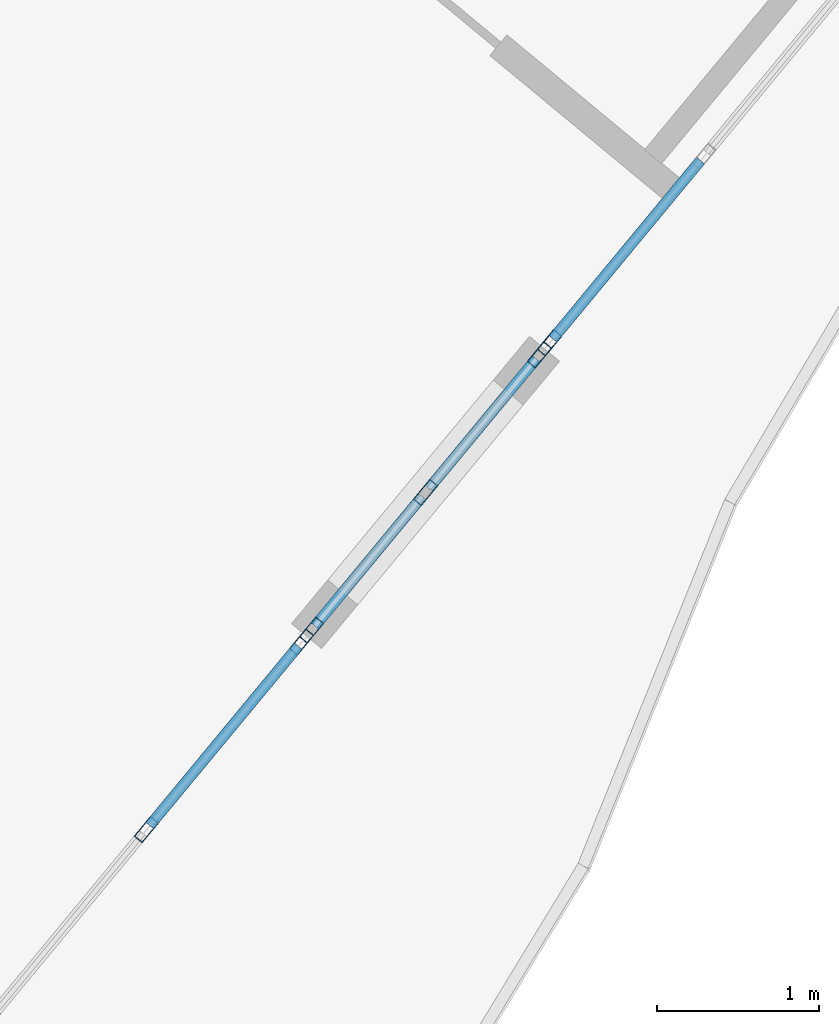
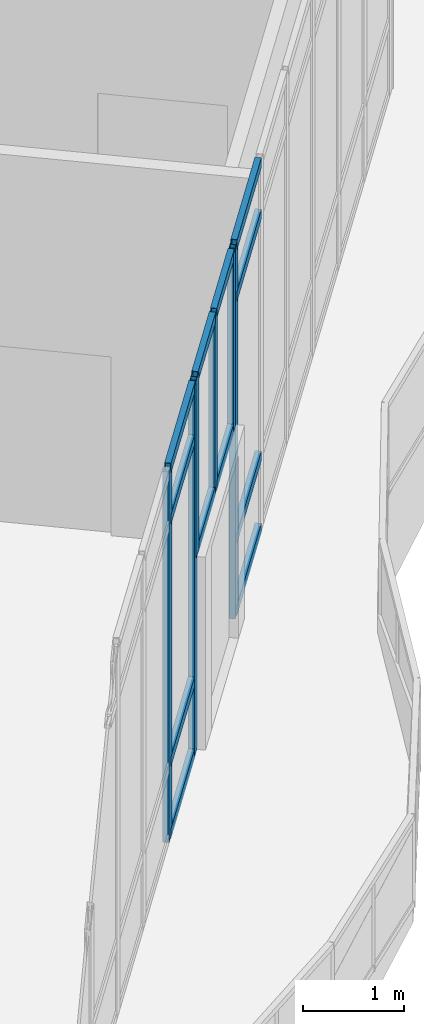
# One storey, part 98 of 155: 18 members, 3 elements without a shape of their own.
"""IFC4 building model written with IfcOpenShell, lengths in metres."""

from ifc_helpers import new_model, si_unit, direction, frame, origin, origin_2d, place, context, subcontext, project, spatial, hollow_rectangle, extrude, material, material_profile, profile_set, type_object, element, aggregate, save


model = new_model("IFC4")

# Units and contexts
model_context = context("Model", 3, precision=1e-05, world=origin(), true_north=direction((0.0, 1.0)))
body_context = subcontext(model_context, "Body", "Model", "MODEL_VIEW")
ifc_project = project(units=[si_unit("LENGTHUNIT", "METRE"), si_unit("AREAUNIT", "SQUARE_METRE"), si_unit("VOLUMEUNIT", "CUBIC_METRE"), si_unit("PLANEANGLEUNIT", "RADIAN"), si_unit("MASSUNIT", "GRAM", prefix="KILO")], contexts=[model_context])

# Site, building, storey
site_placement = place(None, origin())
site = spatial("IfcSite", under=ifc_project, at=site_placement, CompositionType="ELEMENT")
building_placement = place(site_placement, origin())
building = spatial("IfcBuilding", under=site, at=building_placement, Name="Selatvlak General Hospital", CompositionType="ELEMENT")
storey_placement = place(building_placement, frame((0.0, 0.0, 10.199951171875)))
storey = spatial("IfcBuildingStorey", under=building, at=storey_placement, Name="L02", CompositionType="ELEMENT", Elevation=10.199951171875)

# Curtain wall, members
ifc_material_1 = material(Name="Solar-control Low-E double glazing", Category="glass")
curtain_wall_type_1 = type_object("IfcCurtainWallType", Name="CW-CW-02", PredefinedType="USERDEFINED", material=ifc_material_1)
curtain_wall_1_placement = place(storey_placement, origin())
curtain_wall_1 = element("IfcCurtainWall", 1, at=curtain_wall_1_placement, inside=storey, type_object=curtain_wall_type_1, Name="Glazed facade curtain wall CW-L02-0272", ObjectType="UNITISED CURTAIN WALL", PredefinedType="USERDEFINED")
ifc_material_2 = material(Name="Dark anodised aluminium mullion", Category="aluminium")
ifc_material_profile_1 = material_profile(ifc_material_2, hollow_rectangle(XDim=0.06494140625, YDim=0.159912109375, WallThickness=0.00390625, at=origin_2d()), Name="AL-MUL 65x160x4")
ifc_profile_set_1 = profile_set([ifc_material_profile_1], Name="Dark anodised aluminium mullion")
member_type_1 = type_object("IfcMemberType", Name="CWM-01", PredefinedType="MULLION", material=ifc_profile_set_1)
member_1_placement = place(storey_placement, frame((172.88427734375, 52.804931640625, 2.320068359375), z_axis=(0.0, 0.0, 1.0), x_axis=(0.770132930655, -0.6378834291, 0.0)))
member_1 = element("IfcMember", 2, at=member_1_placement, type_object=member_type_1, Name="CW-02 mullion 1", PredefinedType="MULLION", context=body_context, shape_type="SweptSolid", body=[
    extrude(hollow_rectangle(XDim=0.06494140625, YDim=0.159912109375, WallThickness=0.00390625, at=origin_2d()), origin(), (0.0, 0.0, 1.0), 2.139892578125),
])
member_2_placement = place(storey_placement, frame((172.181396484375, 51.95654296875, 2.320068359375), z_axis=(0.0, 0.0, 1.0), x_axis=(0.770132930655, -0.6378834291, 0.0)))
member_2 = element("IfcMember", 3, at=member_2_placement, type_object=member_type_1, Name="CW-02 mullion 2", PredefinedType="MULLION", context=body_context, shape_type="SweptSolid", body=[
    extrude(hollow_rectangle(XDim=0.06494140625, YDim=0.159912109375, WallThickness=0.00390625, at=origin_2d()), origin(), (0.0, 0.0, 1.0), 2.139892578125),
])
member_3_placement = place(storey_placement, frame((171.478759765625, 51.10791015625, 2.320068359375), z_axis=(0.0, 0.0, 1.0), x_axis=(0.770132930655, -0.6378834291, 0.0)))
member_3 = element("IfcMember", 4, at=member_3_placement, type_object=member_type_1, Name="CW-02 mullion 3", PredefinedType="MULLION", context=body_context, shape_type="SweptSolid", body=[
    extrude(hollow_rectangle(XDim=0.06494140625, YDim=0.159912109375, WallThickness=0.00390625, at=origin_2d()), origin(), (0.0, 0.0, 1.0), 2.139892578125),
])

# Curtain wall, member
curtain_wall_type_2 = type_object("IfcCurtainWallType", Name="CW-CW-01", PredefinedType="USERDEFINED", material=ifc_material_1)
curtain_wall_2_placement = place(storey_placement, origin())
curtain_wall_2 = element("IfcCurtainWall", 5, at=curtain_wall_2_placement, inside=storey, type_object=curtain_wall_type_2, Name="Glazed facade curtain wall CW-L02-0273", ObjectType="UNITISED CURTAIN WALL", PredefinedType="USERDEFINED")
member_4_placement = place(storey_placement, frame((172.94580078125, 52.879150390625, 0.0), z_axis=(0.0, 0.0, 1.0), x_axis=(0.770251713592, -0.637739992245, 0.0)))
member_4 = element("IfcMember", 6, at=member_4_placement, type_object=member_type_1, Name="CW-01 mullion 7", PredefinedType="MULLION", context=body_context, shape_type="SweptSolid", body=[
    extrude(hollow_rectangle(XDim=0.06494140625, YDim=0.159912109375, WallThickness=0.00390625, at=origin_2d()), origin(), (0.0, 0.0, 1.0), 4.4599609375),
])

# Curtain wall, members
curtain_wall_3_placement = place(storey_placement, origin())
curtain_wall_3 = element("IfcCurtainWall", 7, at=curtain_wall_3_placement, inside=storey, type_object=curtain_wall_type_2, Name="Glazed facade curtain wall CW-L02-0274", ObjectType="UNITISED CURTAIN WALL", PredefinedType="USERDEFINED")
member_5_placement = place(storey_placement, frame((171.417236328125, 51.033935546875, 0.0), z_axis=(0.0, 0.0, 1.0), x_axis=(0.770267232802, -0.637721247938, 0.0)))
member_5 = element("IfcMember", 8, at=member_5_placement, type_object=member_type_1, Name="CW-01 mullion 1", PredefinedType="MULLION", context=body_context, shape_type="SweptSolid", body=[
    extrude(hollow_rectangle(XDim=0.06494140625, YDim=0.159912109375, WallThickness=0.00390625, at=origin_2d()), origin(), (0.0, 0.0, 1.0), 4.4599609375),
])
member_6_placement = place(storey_placement, frame((170.46044921875, 49.87841796875, 0.0), z_axis=(0.0, 0.0, 1.0), x_axis=(0.770267232802, -0.637721247938, 0.0)))
member_6 = element("IfcMember", 9, at=member_6_placement, type_object=member_type_1, Name="CW-01 mullion 2", PredefinedType="MULLION", context=body_context, shape_type="SweptSolid", body=[
    extrude(hollow_rectangle(XDim=0.06494140625, YDim=0.159912109375, WallThickness=0.00390625, at=origin_2d()), origin(), (0.0, 0.0, 1.0), 4.4599609375),
])

# Member
ifc_material_profile_2 = material_profile(ifc_material_2, hollow_rectangle(XDim=0.06494140625, YDim=0.1201171875, WallThickness=0.00390625, at=origin_2d()), Name="AL-TRN 65x120x4")
ifc_profile_set_2 = profile_set([ifc_material_profile_2], Name="Dark anodised aluminium mullion")
member_type_2 = type_object("IfcMemberType", Name="CWT-01", PredefinedType="USERDEFINED", material=ifc_profile_set_2)
member_7_placement = place(storey_placement, frame((172.863525390625, 52.780029296875, 2.3525390625), z_axis=(-0.637842341056, -0.770166961091, 0.0), x_axis=(0.770166961091, -0.637842341056, 0.0)))
member_7 = element("IfcMember", 10, at=member_7_placement, type_object=member_type_2, Name="CW-02 transom 1.1", ObjectType="TRANSOM", PredefinedType="USERDEFINED", context=body_context, shape_type="SweptSolid", body=[
    extrude(hollow_rectangle(XDim=0.06494140625, YDim=0.1201171875, WallThickness=0.00390625, at=origin_2d()), origin(), (0.0, 0.0, 1.0), 1.036865234375),
])

member_8_placement = place(storey_placement, frame((172.863525390625, 52.780029296875, 4.427490234375), z_axis=(-0.637842341056, -0.770166961091, 0.0), x_axis=(0.770166961091, -0.637842341056, 0.0)))
member_8 = element("IfcMember", 11, at=member_8_placement, type_object=member_type_2, Name="CW-02 transom 1.2", ObjectType="TRANSOM", PredefinedType="USERDEFINED", context=body_context, shape_type="SweptSolid", body=[
    extrude(hollow_rectangle(XDim=0.06494140625, YDim=0.1201171875, WallThickness=0.00390625, at=origin_2d()), origin(), (0.0, 0.0, 1.0), 1.036865234375),
])

member_9_placement = place(storey_placement, frame((172.160888671875, 51.931396484375, 2.3525390625), z_axis=(-0.637958019999, -0.770071142635, 0.0), x_axis=(0.770071142635, -0.637958019999, 0.0)))
member_9 = element("IfcMember", 12, at=member_9_placement, type_object=member_type_2, Name="CW-02 transom 2.1", ObjectType="TRANSOM", PredefinedType="USERDEFINED", context=body_context, shape_type="SweptSolid", body=[
    extrude(hollow_rectangle(XDim=0.06494140625, YDim=0.1201171875, WallThickness=0.00390625, at=origin_2d()), origin(), (0.0, 0.0, 1.0), 1.03662109375),
])

member_10_placement = place(storey_placement, frame((172.160888671875, 51.931396484375, 4.427490234375), z_axis=(-0.637958019999, -0.770071142635, 0.0), x_axis=(0.770071142635, -0.637958019999, 0.0)))
member_10 = element("IfcMember", 13, at=member_10_placement, type_object=member_type_2, Name="CW-02 transom 2.2", ObjectType="TRANSOM", PredefinedType="USERDEFINED", context=body_context, shape_type="SweptSolid", body=[
    extrude(hollow_rectangle(XDim=0.06494140625, YDim=0.1201171875, WallThickness=0.00390625, at=origin_2d()), origin(), (0.0, 0.0, 1.0), 1.03662109375),
])

aggregate(curtain_wall_1, [member_1, member_2, member_3, member_7, member_8, member_9, member_10])

member_11_placement = place(storey_placement, frame((173.87646484375, 54.003173828125, 0.032470703125), z_axis=(-0.637690265355, -0.770292882916, 0.0), x_axis=(0.770292882916, -0.637690265355, 0.0)))
member_11 = element("IfcMember", 14, at=member_11_placement, type_object=member_type_2, Name="CW-01 transom 6.1", ObjectType="TRANSOM", PredefinedType="USERDEFINED", context=body_context, shape_type="SweptSolid", body=[
    extrude(hollow_rectangle(XDim=0.06494140625, YDim=0.1201171875, WallThickness=0.00390625, at=origin_2d()), origin(), (0.0, 0.0, 1.0), 1.427001953125),
])

member_12_placement = place(storey_placement, frame((173.87646484375, 54.003173828125, 0.900146484375), z_axis=(-0.637690265355, -0.770292882916, 0.0), x_axis=(0.770292882916, -0.637690265355, 0.0)))
member_12 = element("IfcMember", 15, at=member_12_placement, type_object=member_type_2, Name="CW-01 transom 6.2", ObjectType="TRANSOM", PredefinedType="USERDEFINED", context=body_context, shape_type="SweptSolid", body=[
    extrude(hollow_rectangle(XDim=0.06494140625, YDim=0.1201171875, WallThickness=0.00390625, at=origin_2d()), origin(), (0.0, 0.0, 1.0), 1.427001953125),
])

member_13_placement = place(storey_placement, frame((173.87646484375, 54.003173828125, 3.81005859375), z_axis=(-0.637690265355, -0.770292882916, 0.0), x_axis=(0.770292882916, -0.637690265355, 0.0)))
member_13 = element("IfcMember", 16, at=member_13_placement, type_object=member_type_2, Name="CW-01 transom 6.3", ObjectType="TRANSOM", PredefinedType="USERDEFINED", context=body_context, shape_type="SweptSolid", body=[
    extrude(hollow_rectangle(XDim=0.06494140625, YDim=0.1201171875, WallThickness=0.00390625, at=origin_2d()), origin(), (0.0, 0.0, 1.0), 1.427001953125),
])

member_14_placement = place(storey_placement, frame((173.87646484375, 54.003173828125, 4.427490234375), z_axis=(-0.637690265355, -0.770292882916, 0.0), x_axis=(0.770292882916, -0.637690265355, 0.0)))
member_14 = element("IfcMember", 17, at=member_14_placement, type_object=member_type_2, Name="CW-01 transom 6.4", ObjectType="TRANSOM", PredefinedType="USERDEFINED", context=body_context, shape_type="SweptSolid", body=[
    extrude(hollow_rectangle(XDim=0.06494140625, YDim=0.1201171875, WallThickness=0.00390625, at=origin_2d()), origin(), (0.0, 0.0, 1.0), 1.427001953125),
])

aggregate(curtain_wall_2, [member_4, member_11, member_12, member_13, member_14])

member_15_placement = place(storey_placement, frame((171.396484375, 51.009033203125, 0.032470703125), z_axis=(-0.637654733819, -0.77032229647, 0.0), x_axis=(0.77032229647, -0.637654733819, 0.0)))
member_15 = element("IfcMember", 18, at=member_15_placement, type_object=member_type_2, Name="CW-01 transom 1.1", ObjectType="TRANSOM", PredefinedType="USERDEFINED", context=body_context, shape_type="SweptSolid", body=[
    extrude(hollow_rectangle(XDim=0.06494140625, YDim=0.1201171875, WallThickness=0.00390625, at=origin_2d()), origin(), (0.0, 0.0, 1.0), 1.435302734375),
])

member_16_placement = place(storey_placement, frame((171.396484375, 51.009033203125, 0.900146484375), z_axis=(-0.637654733819, -0.77032229647, 0.0), x_axis=(0.77032229647, -0.637654733819, 0.0)))
member_16 = element("IfcMember", 19, at=member_16_placement, type_object=member_type_2, Name="CW-01 transom 1.2", ObjectType="TRANSOM", PredefinedType="USERDEFINED", context=body_context, shape_type="SweptSolid", body=[
    extrude(hollow_rectangle(XDim=0.06494140625, YDim=0.1201171875, WallThickness=0.00390625, at=origin_2d()), origin(), (0.0, 0.0, 1.0), 1.435302734375),
])

member_17_placement = place(storey_placement, frame((171.396484375, 51.009033203125, 3.81005859375), z_axis=(-0.637654733819, -0.77032229647, 0.0), x_axis=(0.77032229647, -0.637654733819, 0.0)))
member_17 = element("IfcMember", 20, at=member_17_placement, type_object=member_type_2, Name="CW-01 transom 1.3", ObjectType="TRANSOM", PredefinedType="USERDEFINED", context=body_context, shape_type="SweptSolid", body=[
    extrude(hollow_rectangle(XDim=0.06494140625, YDim=0.1201171875, WallThickness=0.00390625, at=origin_2d()), origin(), (0.0, 0.0, 1.0), 1.435302734375),
])

member_18_placement = place(storey_placement, frame((171.396484375, 51.009033203125, 4.427490234375), z_axis=(-0.637654733819, -0.77032229647, 0.0), x_axis=(0.77032229647, -0.637654733819, 0.0)))
member_18 = element("IfcMember", 21, at=member_18_placement, type_object=member_type_2, Name="CW-01 transom 1.4", ObjectType="TRANSOM", PredefinedType="USERDEFINED", context=body_context, shape_type="SweptSolid", body=[
    extrude(hollow_rectangle(XDim=0.06494140625, YDim=0.1201171875, WallThickness=0.00390625, at=origin_2d()), origin(), (0.0, 0.0, 1.0), 1.435302734375),
])

aggregate(curtain_wall_3, [member_5, member_6, member_15, member_16, member_17, member_18])

save(model, "model.ifc")
